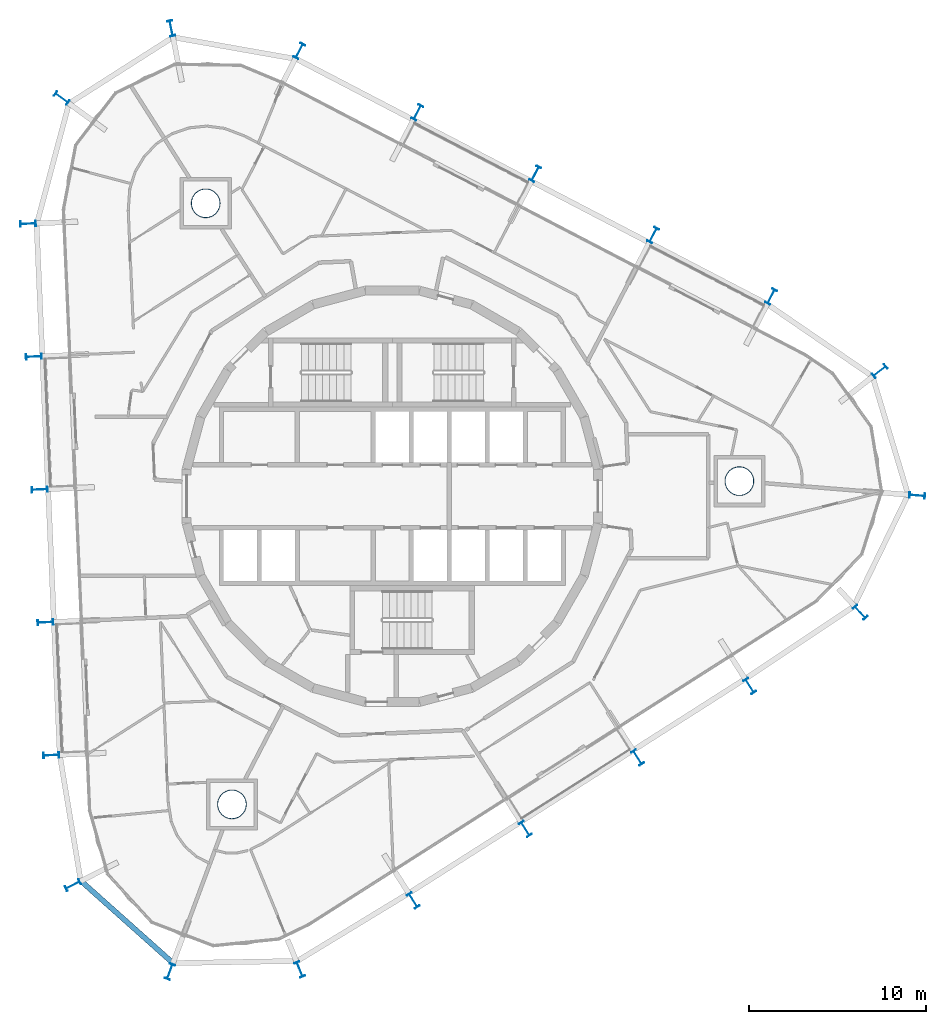
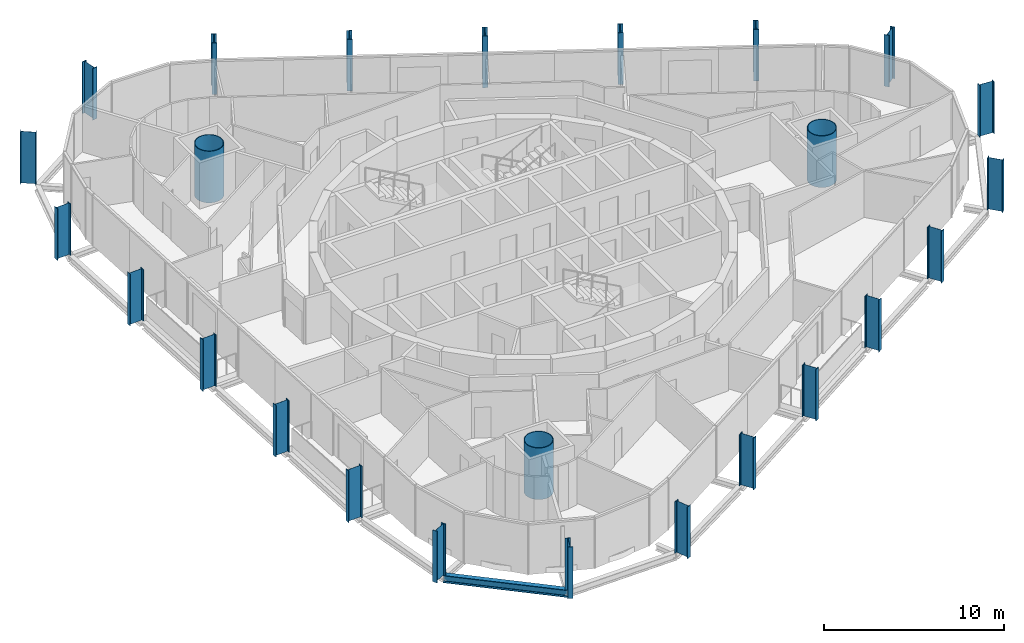
# One storey, part 1 of 18: 25 columns, 1 beam.
"""IFC4 building model written with IfcOpenShell, lengths in metres."""

import ifcopenshell
import ifcopenshell.guid

model = None  # the IFC model being written
_history = None  # IfcOwnerHistory: only IFC2X3 demands one
_inside = {}  # id of a spatial element -> (the spatial element, [elements in it])
_under = {}  # id of a project, library or spatial element -> (it, [spatial elements below it])
_declared = {}  # id of a project -> (the project, [libraries it declares])
_typed = {}  # id of a type object -> (the type object, [elements of that type])
_made_of = {}  # id of a material, layer set ... -> (it, [elements and type objects made of it])


def new_model(schema):
    """Start an empty IFC model of exactly this schema.

    Asked for "IFC4X3", IfcOpenShell would pick the latest addendum, in which some entities
    have other attributes; the version numbers below select the first issue.
    IFC2X3 requires an IfcOwnerHistory on every rooted entity: one is made here for all.
    """
    global model, _history
    if schema == "IFC4X3":
        model = ifcopenshell.file(schema_version=(4, 3, 0, 0))
    else:
        model = ifcopenshell.file(schema=schema)
    _inside.clear()
    _under.clear()
    _declared.clear()
    _typed.clear()
    _made_of.clear()
    _history = None
    if model.schema == "IFC2X3":
        org = make("IfcOrganization", Name="unknown")
        user = make(
            "IfcPersonAndOrganization",
            ThePerson=make("IfcPerson", FamilyName="unknown"),
            TheOrganization=org,
        )
        app = make(
            "IfcApplication",
            ApplicationDeveloper=org,
            Version="unknown",
            ApplicationFullName="unknown",
            ApplicationIdentifier="unknown",
        )
        _history = make(
            "IfcOwnerHistory",
            OwningUser=user,
            OwningApplication=app,
            ChangeAction="ADDED",
            CreationDate=0,
        )
    return model


def make(cls, **values):
    """One entity of the class cls with the attributes given. An attribute that is None is left unset."""
    return model.create_entity(
        cls, **{name: value for name, value in values.items() if value is not None}
    )


def rooted(cls, **values):
    """An entity with a GlobalId (a new one), such as an element, a storey or a relation."""
    return make(cls, GlobalId=ifcopenshell.guid.new(), OwnerHistory=_history, **values)


def si_unit(unit_type, name, prefix=None):
    """IfcSIUnit, for example si_unit("LENGTHUNIT", "METRE", prefix="MILLI")."""
    return make("IfcSIUnit", UnitType=unit_type, Prefix=prefix, Name=name)


def assignment(units):
    """IfcUnitAssignment: the units of a project."""
    return None if units is None else make("IfcUnitAssignment", Units=units)


def point(xyz):
    """IfcCartesianPoint."""
    return None if xyz is None else make("IfcCartesianPoint", Coordinates=xyz)


def direction(xyz):
    """IfcDirection."""
    return None if xyz is None else make("IfcDirection", DirectionRatios=xyz)


def frame(location, z_axis=None, x_axis=None):
    """IfcAxis2Placement3D, a coordinate frame: its origin and axes. An axis left out is left unset."""
    return make(
        "IfcAxis2Placement3D",
        Location=point(location),
        Axis=direction(z_axis),
        RefDirection=direction(x_axis),
    )


def frame_2d(location, x_axis=None):
    """IfcAxis2Placement2D, a coordinate frame in the plane: its origin and x axis."""
    return make(
        "IfcAxis2Placement2D", Location=point(location), RefDirection=direction(x_axis)
    )


def origin():
    """The frame at (0, 0, 0) with its axes left unset."""
    return frame((0.0, 0.0, 0.0))


def origin_2d():
    """The frame at (0, 0) in the plane with its x axis left unset."""
    return frame_2d((0.0, 0.0))


def place(relative_to, where):
    """IfcLocalPlacement: puts the frame where relative to a parent placement (None: the world)."""
    return make(
        "IfcLocalPlacement", PlacementRelTo=relative_to, RelativePlacement=where
    )


def context(
    kind, dimensions, precision=None, world=None, true_north=None, identifier=None
):
    """IfcGeometricRepresentationContext, for example the 3D "Model" context."""
    return make(
        "IfcGeometricRepresentationContext",
        ContextIdentifier=identifier,
        ContextType=kind,
        CoordinateSpaceDimension=dimensions,
        Precision=precision,
        WorldCoordinateSystem=world,
        TrueNorth=true_north,
    )


def subcontext(parent, identifier, kind, view, scale=None):
    """IfcGeometricRepresentationSubContext, for example "Body" below "Model"."""
    return make(
        "IfcGeometricRepresentationSubContext",
        ContextIdentifier=identifier,
        ContextType=kind,
        ParentContext=parent,
        TargetScale=scale,
        TargetView=view,
    )


def project(units=None, contexts=None):
    """IfcProject with its units and contexts."""
    return rooted(
        "IfcProject",
        Name="project",
        RepresentationContexts=contexts,
        UnitsInContext=assignment(units),
    )


def spatial(cls, under=None, at=None, **own):
    """A site, building, storey or space (cls), placed at a placement, below another one or the project."""
    s = rooted(cls, ObjectPlacement=at, **own)
    if under is not None:
        _under.setdefault(under.id(), (under, []))[1].append(s)
    return s


def profile(cls, at=None, kind="AREA", **sizes):
    """A parametric profile (cls). Its sizes go by their IFC names, for example OverallWidth=200.0."""
    return make(cls, ProfileType=kind, Position=at, **sizes)


def hollow_circle(**sizes):
    """IfcCircleHollowProfileDef."""
    return profile("IfcCircleHollowProfileDef", **sizes)


def i_section(**sizes):
    """IfcIShapeProfileDef."""
    return profile("IfcIShapeProfileDef", **sizes)


def extrude(swept, where, along, depth):
    """IfcExtrudedAreaSolid: the profile swept, set in the frame where, extruded along a direction by depth."""
    return make(
        "IfcExtrudedAreaSolid",
        SweptArea=swept,
        Position=where,
        ExtrudedDirection=direction(along),
        Depth=depth,
    )


def shape(context_of_items, identifier, shape_type, items):
    """IfcShapeRepresentation: the items that make up one representation, for example the "Body"."""
    return make(
        "IfcShapeRepresentation",
        ContextOfItems=context_of_items,
        RepresentationIdentifier=identifier,
        RepresentationType=shape_type,
        Items=items,
    )


def material(Name=None, Category=None):
    """IfcMaterial."""
    return make("IfcMaterial", Name=Name, Category=Category)


def material_profile(
    of_material, cross_section, Name=None, Category=None, Priority=None
):
    """IfcMaterialProfile: a cross section and its material."""
    return make(
        "IfcMaterialProfile",
        Name=Name,
        Material=of_material,
        Profile=cross_section,
        Priority=Priority,
        Category=Category,
    )


def profile_set(profiles, Name=None, composite=None):
    """IfcMaterialProfileSet."""
    return make(
        "IfcMaterialProfileSet",
        Name=Name,
        MaterialProfiles=profiles,
        CompositeProfile=composite,
    )


def made_of(thing, what):
    """Note that an element or type object is made of a material, layer set ...; save() writes the relation."""
    if what is not None:
        _made_of.setdefault(what.id(), (what, []))[1].append(thing)
    return thing


def type_object(cls, material=None, **own):
    """A type object (cls), such as IfcWallType, which elements share."""
    return made_of(rooted(cls, **own), material)


def element(
    cls,
    number,
    at=None,
    inside=None,
    cuts=None,
    type_object=None,
    material=None,
    context=None,
    identifier="Body",
    shape_type=None,
    held_by="IfcProductDefinitionShape",
    body=None,
    shapes=None,
    **own,
):
    """One element of the class cls, such as IfcWall. Its Tag is "e" and its number.

    at: its placement. inside: the storey or other place that contains it. cuts: it is an
    opening in that element (IfcRelVoidsElement). A single representation is given by context,
    identifier, shape_type and body (its items); several are given by shapes. held_by: the class
    of the entity that holds the representations. save() writes the other relations.
    """
    e = rooted(cls, Tag="e%d" % number, ObjectPlacement=at, **own)
    if body is not None:
        shapes = [shape(context, identifier, shape_type, body)]
    if shapes is not None:
        e.Representation = make(held_by, Representations=shapes)
    if inside is not None:
        _inside.setdefault(inside.id(), (inside, []))[1].append(e)
    if cuts is not None:
        rooted(
            "IfcRelVoidsElement", RelatingBuildingElement=cuts, RelatedOpeningElement=e
        )
    if type_object is not None:
        _typed.setdefault(type_object.id(), (type_object, []))[1].append(e)
    return made_of(e, material)


def aggregate(whole, parts):
    """IfcRelAggregates: a whole, such as a stair, and the parts it consists of."""
    return rooted("IfcRelAggregates", RelatingObject=whole, RelatedObjects=parts)


def save(model, path):
    """Write the relations noted so far, then the file.

    IfcRelAggregates (storeys below a building ...), IfcRelContainedInSpatialStructure (elements
    in a storey), IfcRelDefinesByType, IfcRelAssociatesMaterial and IfcRelDeclares: one each for
    every whole, place, type object, material and project.
    """
    for whole, parts in _under.values():
        aggregate(whole, parts)
    for where, things in _inside.values():
        rooted(
            "IfcRelContainedInSpatialStructure",
            RelatedElements=things,
            RelatingStructure=where,
        )
    for kind, things in _typed.values():
        rooted("IfcRelDefinesByType", RelatedObjects=things, RelatingType=kind)
    for what, things in _made_of.values():
        rooted("IfcRelAssociatesMaterial", RelatedObjects=things, RelatingMaterial=what)
    for by, libraries in _declared.values():
        rooted("IfcRelDeclares", RelatingContext=by, RelatedDefinitions=libraries)
    model.write(path)


model = new_model("IFC4")

# Units and contexts
model_context = context("Model", 3, precision=1e-05, world=origin(), true_north=direction((0.0, 1.0)))
body_context = subcontext(model_context, "Body", "Model", "MODEL_VIEW")
ifc_project = project(units=[si_unit("LENGTHUNIT", "METRE"), si_unit("AREAUNIT", "SQUARE_METRE"), si_unit("VOLUMEUNIT", "CUBIC_METRE"), si_unit("PLANEANGLEUNIT", "RADIAN"), si_unit("MASSUNIT", "GRAM", prefix="KILO")], contexts=[model_context])

# Site, building, storey
site_placement = place(None, origin())
site = spatial("IfcSite", under=ifc_project, at=site_placement, CompositionType="ELEMENT")
building_placement = place(site_placement, origin())
building = spatial("IfcBuilding", under=site, at=building_placement, Name="Spindle Arch Residences", CompositionType="ELEMENT")
storey_placement = place(building_placement, frame((0.0, 0.0, 230.199951171875)))
storey = spatial("IfcBuildingStorey", under=building, at=storey_placement, Name="L58", CompositionType="ELEMENT", Elevation=230.199951171875)

# Columns
ifc_material_1 = material(Name="Steel S460ML, intumescent coating R 240", Category="steel")
ifc_material_profile_1 = material_profile(ifc_material_1, i_section(OverallWidth=0.300048828125, OverallDepth=0.89990234375, WebThickness=0.0185546875, FlangeThickness=0.034912109375, FilletRadius=0.030029296875, at=origin_2d()), Name="HEB 900")
ifc_profile_set_1 = profile_set([ifc_material_profile_1], Name="Steel S460ML, intumescent coating R 240")
column_type_1 = type_object("IfcColumnType", Name="Exoskeleton post HEB 900", PredefinedType="COLUMN", material=ifc_profile_set_1)
for number, where, z_axis, x_axis, name in (
    (1, (13.885986328125, -14.78955078125, -0.3798828125), (0.0, 0.0, 1.0), (-0.843391139633, -0.537300088953, 0.0), "Exoskeleton post 1"),
    (2, (20.23681640625, -10.74365234375, -0.3798828125), (0.0, 0.0, 1.0), (-0.843391139633, -0.537300088953, 0.0), "Exoskeleton post 2"),
    (3, (26.49462890625, -6.569091796875, -0.3798828125), (0.0, 0.0, 1.0), (-0.735346889002, -0.677690897707, 0.0), "Exoskeleton post 3"),
    (4, (29.71728515625, 0.04443359375, -0.3798828125), (0.0, 0.0, 1.0), (-0.080537962999, -0.996751542018, 0.0), "Exoskeleton post 4"),
    (5, (27.598388671875, 7.089599609375, -0.3798828125), (0.0, 0.0, 1.0), (0.617001797175, -0.786961741308, 0.0), "Exoskeleton post 5"),
    (6, (21.449951171875, 11.3076171875, -0.3798828125), (0.0, 0.0, 1.0), (0.887010710334, -0.461748849216, 0.0), "Exoskeleton post 6"),
    (7, (14.770751953125, 14.784423828125, -0.3798828125), (0.0, 0.0, 1.0), (0.887010710334, -0.461748849216, 0.0), "Exoskeleton post 7"),
    (8, (8.09130859375, 18.261474609375, -0.3798828125), (0.0, 0.0, 1.0), (0.887010710334, -0.461748849216, 0.0), "Exoskeleton post 8"),
    (9, (1.412109375, 21.738525390625, -0.3798828125), (0.0, 0.0, 1.0), (0.887010710334, -0.461748849216, 0.0), "Exoskeleton post 9"),
    (10, (-5.26708984375, 25.215576171875, -0.3798828125), (0.0, 0.0, 1.0), (0.887010710334, -0.461748849216, 0.0), "Exoskeleton post 10"),
    (11, (-12.51953125, 26.498046875, -0.3798828125), (0.0, 0.0, 1.0), (0.981152901053, 0.193232980505, 0.0), "Exoskeleton post 11"),
    (12, (-18.724365234375, 22.545166015625, -0.3798828125), (0.0, 0.0, 1.0), (0.589781110017, 0.807563150637, 0.0), "Exoskeleton post 12"),
    (13, (-20.626953125, 15.43017578125, -0.3798828125), (0.0, 0.0, 1.0), (-0.043619010384, 0.999048238041, 0.0), "Exoskeleton post 13"),
    (14, (-20.298583984375, 7.9072265625, -0.3798828125), (0.0, 0.0, 1.0), (-0.043619010384, 0.999048238041, 0.0), "Exoskeleton post 14"),
    (15, (-19.97021484375, 0.38427734375, -0.3798828125), (0.0, 0.0, 1.0), (-0.043619010384, 0.999048238041, 0.0), "Exoskeleton post 15"),
    (16, (-19.6416015625, -7.138671875, -0.3798828125), (0.0, 0.0, 1.0), (-0.043619010384, 0.999048238041, 0.0), "Exoskeleton post 16"),
    (17, (-19.313232421875, -14.66162109375, -0.3798828125), (0.0, 0.0, 1.0), (-0.043619010384, 0.999048238041, 0.0), "Exoskeleton post 17"),
    (18, (-18.089111328125, -22.016357421875, -0.3798828125), (0.0, 0.0, 1.0), (-0.452473836659, 0.89177767809, 0.0), "Exoskeleton post 18"),
    (19, (-12.599365234375, -26.9140625, -0.3798828125), (0.0, 0.0, 1.0), (-0.937400631219, 0.348252863002, 0.0), "Exoskeleton post 19"),
    (20, (-5.243408203125, -26.78857421875, -0.3798828125), (0.0, 0.0, 1.0), (-0.924967647063, -0.380045854978, 0.0), "Exoskeleton post 20"),
    (21, (1.1845703125, -22.88134765625, -0.3798828125), (0.0, 0.0, 1.0), (-0.843391139633, -0.537300088953, 0.0), "Exoskeleton post 21"),
    (22, (7.535400390625, -18.83544921875, -0.3798828125), (0.0, 0.0, 1.0), (-0.843391139633, -0.537300088953, 0.0), "Exoskeleton post 22"),
):
    element("IfcColumn", number, at=place(storey_placement, frame(where, z_axis=z_axis, x_axis=x_axis)), inside=storey, type_object=column_type_1, Name=name, PredefinedType="COLUMN", context=body_context, shape_type="SweptSolid", body=[
        extrude(i_section(OverallWidth=0.300048828125, OverallDepth=0.89990234375, WebThickness=0.0185546875, FlangeThickness=0.034912109375, FilletRadius=0.030029296875, at=origin_2d()), origin(), (0.0, 0.0, 1.0), 3.5),
    ])
ifc_material_2 = material(Name="Concrete C50/60 filled steel tube S460ML, intumescent coating R 240", Category="concrete")
ifc_material_profile_2 = material_profile(ifc_material_2, hollow_circle(Radius=0.824951171875, WallThickness=0.0400390625, at=origin_2d()), Name="CFT D1650x40")
ifc_profile_set_2 = profile_set([ifc_material_profile_2], Name="Concrete C50/60 filled steel tube S460ML, intumescent coating R 240")
column_type_2 = type_object("IfcColumnType", Name="Mega-column CFT D1650x40", PredefinedType="COLUMN", material=ifc_profile_set_2)
for number, where, z_axis, x_axis, name in (
    (23, (19.64990234375, 0.85791015625, -0.3798828125), (0.0, 0.0, 1.0), (1.0, 0.0, 0.0), "Mega-column 1"),
    (24, (-10.568115234375, 16.58837890625, -0.3798828125), (0.0, 0.0, 1.0), (1.0, 0.0, 0.0), "Mega-column 2"),
    (25, (-9.08203125, -17.4462890625, -0.3798828125), (0.0, 0.0, 1.0), (1.0, 0.0, 0.0), "Mega-column 3"),
):
    element("IfcColumn", number, at=place(storey_placement, frame(where, z_axis=z_axis, x_axis=x_axis)), inside=storey, type_object=column_type_2, Name=name, PredefinedType="COLUMN", context=body_context, shape_type="SweptSolid", body=[
        extrude(hollow_circle(Radius=0.824951171875, WallThickness=0.0400390625, at=origin_2d()), origin(), (0.0, 0.0, 1.0), 3.5),
    ])

# Beam
ifc_material_3 = material(Name="Steel S460ML, intumescent coating R 120", Category="steel")
ifc_material_profile_3 = material_profile(ifc_material_3, i_section(OverallWidth=0.300048828125, OverallDepth=0.5, WebThickness=0.014404296875, FlangeThickness=0.028076171875, FilletRadius=0.027099609375, at=origin_2d()), Name="HEB 500")
ifc_profile_set_3 = profile_set([ifc_material_profile_3], Name="Steel S460ML, intumescent coating R 120")
beam_type = type_object("IfcBeamType", Name="Exoskeleton edge beam HEB 500", PredefinedType="BEAM", material=ifc_profile_set_3)
beam_placement = place(storey_placement, frame((-17.67236328125, -21.74462890625, -0.6298828125), z_axis=(0.746176267139, -0.66574843474, 0.0), x_axis=(0.66574843474, 0.746176267139, 0.0)))
element("IfcBeam", 26, at=beam_placement, inside=storey, type_object=beam_type, Name="Exoskeleton edge beam 18", PredefinedType="BEAM", context=body_context, shape_type="SweptSolid", body=[
    extrude(i_section(OverallWidth=0.300048828125, OverallDepth=0.5, WebThickness=0.014404296875, FlangeThickness=0.028076171875, FilletRadius=0.027099609375, at=origin_2d()), origin(), (0.0, 0.0, 1.0), 7.09716796875),
])

save(model, "model.ifc")
